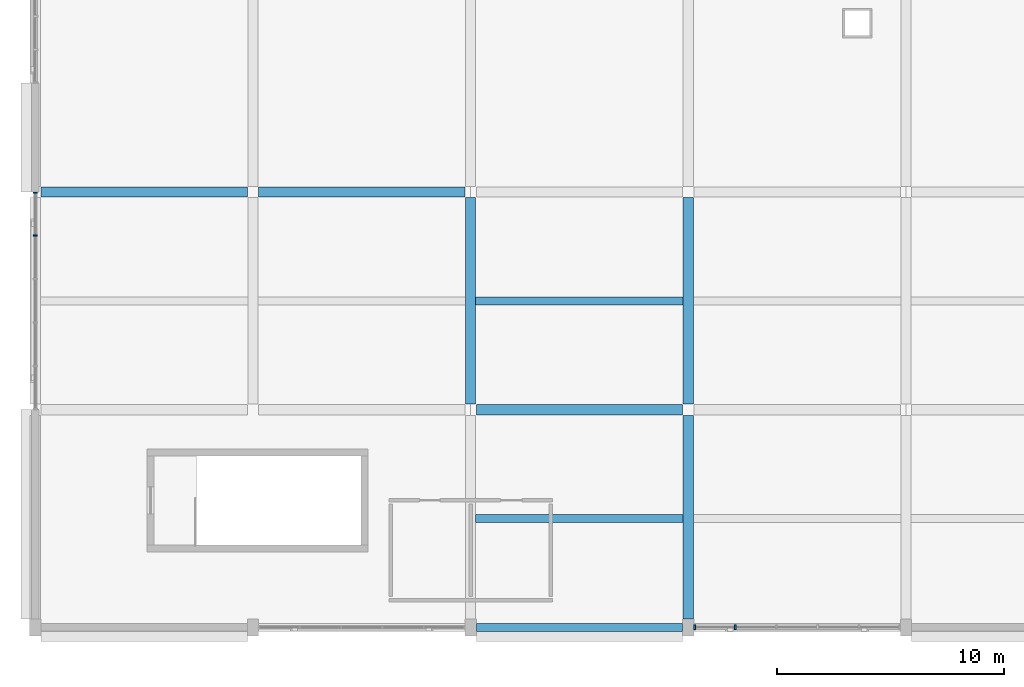
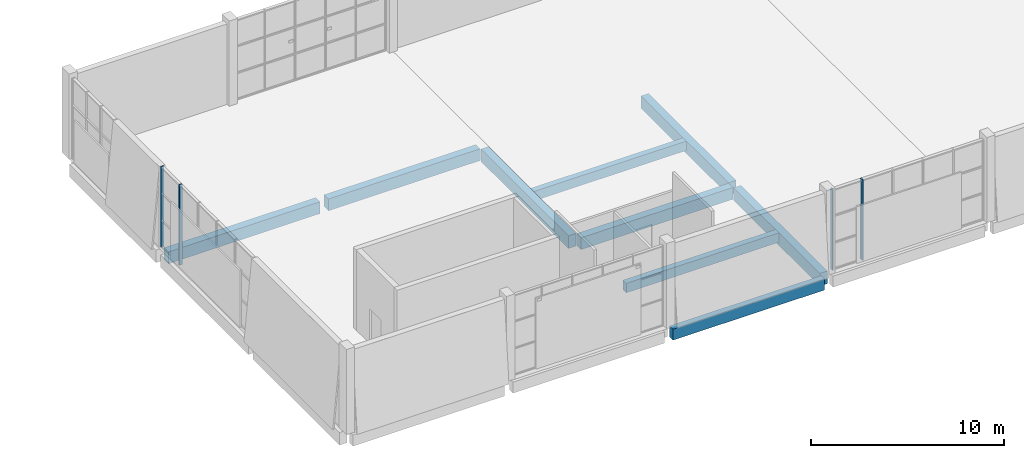
# One storey, part 4 of 72: 9 beams, 4 members, 2 elements without a shape of their own.
"""IFC4 building model written with IfcOpenShell, lengths in metres."""

from ifc_helpers import new_model, si_unit, direction, frame, origin, origin_2d, place, context, subcontext, project, spatial, rectangle, extrude, material, material_profile, profile_set, type_object, element, aggregate, save


model = new_model("IFC4")

# Units and contexts
model_context = context("Model", 3, precision=1e-05, world=origin(), true_north=direction((0.0, 1.0)))
body_context = subcontext(model_context, "Body", "Model", "MODEL_VIEW")
ifc_project = project(units=[si_unit("LENGTHUNIT", "METRE"), si_unit("AREAUNIT", "SQUARE_METRE"), si_unit("VOLUMEUNIT", "CUBIC_METRE"), si_unit("PLANEANGLEUNIT", "RADIAN"), si_unit("MASSUNIT", "GRAM", prefix="KILO")], contexts=[model_context])

# Site, building, storey
site_placement = place(None, origin())
site = spatial("IfcSite", under=ifc_project, at=site_placement, CompositionType="ELEMENT")
building_placement = place(site_placement, origin())
building = spatial("IfcBuilding", under=site, at=building_placement, Name="Shalvenor Court Art Gallery", CompositionType="ELEMENT")
storey_placement = place(building_placement, frame((0.0, 0.0, 11.39990234375)))
storey = spatial("IfcBuildingStorey", under=building, at=storey_placement, Name="L02", CompositionType="ELEMENT", Elevation=11.39990234375)

# Beams
ifc_material_1 = material(Name="Concrete C40/50", Category="concrete")
ifc_material_profile_1 = material_profile(ifc_material_1, rectangle(XDim=0.449951171875, YDim=0.800048828125, at=origin_2d()), Name="RC 450x800")
ifc_profile_set_1 = profile_set([ifc_material_profile_1], Name="Concrete C40/50")
beam_type_1 = type_object("IfcBeamType", Name="B-03", PredefinedType="BEAM", material=ifc_profile_set_1)
beam_1_placement = place(storey_placement, frame((19.199951171875, 9.85009765625, -0.719970703125), z_axis=(0.0, 1.0, 0.0), x_axis=(-1.0, 0.0, 0.0)))
element("IfcBeam", 1, at=beam_1_placement, inside=storey, type_object=beam_type_1, Name="L02 Girder BM-L02-B-03-0703", PredefinedType="BEAM", context=body_context, shape_type="SweptSolid", body=[
    extrude(rectangle(XDim=0.449951171875, YDim=0.800048828125, at=origin_2d()), origin(), (0.0, 0.0, 1.0), 9.099853515625),
])
beam_2_placement = place(storey_placement, frame((28.800048828125, 0.375, -0.719970703125), z_axis=(0.0, 1.0, 0.0), x_axis=(-1.0, 0.0, 0.0)))
element("IfcBeam", 2, at=beam_2_placement, inside=storey, type_object=beam_type_1, Name="L02 Girder BM-L02-B-03-0707", PredefinedType="BEAM", context=body_context, shape_type="SweptSolid", body=[
    extrude(rectangle(XDim=0.449951171875, YDim=0.800048828125, at=origin_2d()), origin(), (0.0, 0.0, 1.0), 8.97509765625),
])
beam_3_placement = place(storey_placement, frame((28.800048828125, 9.85009765625, -0.719970703125), z_axis=(0.0, 1.0, 0.0), x_axis=(-1.0, 0.0, 0.0)))
element("IfcBeam", 3, at=beam_3_placement, inside=storey, type_object=beam_type_1, Name="L02 Girder BM-L02-B-03-0708", PredefinedType="BEAM", context=body_context, shape_type="SweptSolid", body=[
    extrude(rectangle(XDim=0.449951171875, YDim=0.800048828125, at=origin_2d()), origin(), (0.0, 0.0, 1.0), 9.099853515625),
])
ifc_material_2 = material(Name="Concrete C40/50", Category="concrete")
ifc_material_profile_2 = material_profile(ifc_material_2, rectangle(XDim=0.449951171875, YDim=0.75, at=origin_2d()), Name="RC 450x750")
ifc_profile_set_2 = profile_set([ifc_material_profile_2], Name="Concrete C40/50")
beam_type_2 = type_object("IfcBeamType", Name="B-04", PredefinedType="BEAM", material=ifc_profile_set_2)
for number, where, z_axis, x_axis, name in (
    (4, (19.449951171875, 9.60009765625, -0.69482421875), (1.0, 0.0, 0.0), (0.0, 1.0, 0.0), "L02 Girder BM-L02-B-04-0809"),
    (5, (0.25, 19.199951171875, -0.69482421875), (1.0, 0.0, 0.0), (0.0, 1.0, 0.0), "L02 Girder BM-L02-B-04-0815"),
):
    element("IfcBeam", number, at=place(storey_placement, frame(where, z_axis=z_axis, x_axis=x_axis)), inside=storey, type_object=beam_type_2, Name=name, PredefinedType="BEAM", context=body_context, shape_type="SweptSolid", body=[
        extrude(rectangle(XDim=0.449951171875, YDim=0.75, at=origin_2d()), origin(), (0.0, 0.0, 1.0), 9.10009765625),
    ])
beam_4_placement = place(storey_placement, frame((9.85009765625, 19.199951171875, -0.69482421875), z_axis=(1.0, 0.0, 0.0), x_axis=(0.0, 1.0, 0.0)))
element("IfcBeam", 6, at=beam_4_placement, inside=storey, type_object=beam_type_2, Name="L02 Girder BM-L02-B-04-0816", PredefinedType="BEAM", context=body_context, shape_type="SweptSolid", body=[
    extrude(rectangle(XDim=0.449951171875, YDim=0.75, at=origin_2d()), origin(), (0.0, 0.0, 1.0), 9.099853515625),
])

# Curtain wall, members
ifc_material_3 = material(Name="Anodised aluminium and low-iron glass curtain wall", Category="aluminium")
curtain_wall_type_1 = type_object("IfcCurtainWallType", Name="CW-5x3-96-51-121", PredefinedType="USERDEFINED", material=ifc_material_3)
curtain_wall_1_placement = place(storey_placement, origin())
curtain_wall_1 = element("IfcCurtainWall", 7, at=curtain_wall_1_placement, inside=storey, type_object=curtain_wall_type_1, Name="L02 V4 Curtain Wall CW-L02-148", ObjectType="CURTAIN WALL", PredefinedType="USERDEFINED")
ifc_material_4 = material(Name="Anodised aluminium mullion", Category="aluminium")
ifc_material_profile_3 = material_profile(ifc_material_4, rectangle(XDim=0.06494140625, YDim=0.179931640625, at=origin_2d()), Name="CWM-01")
ifc_profile_set_3 = profile_set([ifc_material_profile_3], Name="Anodised aluminium mullion")
member_type_1 = type_object("IfcMemberType", Name="CWM-01", PredefinedType="MULLION", material=ifc_profile_set_3)
member_1_placement = place(storey_placement, frame((0.0, 17.280029296875, 0.0), z_axis=(0.0, 0.0, 1.0), x_axis=(0.0, 1.0, 0.0)))
member_1 = element("IfcMember", 8, at=member_1_placement, type_object=member_type_1, Name="CW-5x3-96-51-121 mullion 5", PredefinedType="MULLION", context=body_context, shape_type="SweptSolid", body=[
    extrude(rectangle(XDim=0.06494140625, YDim=0.179931640625, at=origin_2d()), origin(), (0.0, 0.0, 1.0), 5.10009765625),
])
member_2_placement = place(storey_placement, frame((0.0, 19.16748046875, 0.0), z_axis=(0.0, 0.0, 1.0), x_axis=(0.0, 1.0, 0.0)))
member_2 = element("IfcMember", 9, at=member_2_placement, type_object=member_type_1, Name="CW-5x3-96-51-121 mullion 6", PredefinedType="MULLION", context=body_context, shape_type="SweptSolid", body=[
    extrude(rectangle(XDim=0.06494140625, YDim=0.179931640625, at=origin_2d()), origin(), (0.0, 0.0, 1.0), 5.10009765625),
])
aggregate(curtain_wall_1, [member_1, member_2])

ifc_material_5 = material(Name="Anodised aluminium and low-iron glass curtain wall", Category="aluminium")
curtain_wall_type_2 = type_object("IfcCurtainWallType", Name="CW-5x3-91-51-441", PredefinedType="USERDEFINED", material=ifc_material_5)
curtain_wall_2_placement = place(storey_placement, origin())
curtain_wall_2 = element("IfcCurtainWall", 10, at=curtain_wall_2_placement, inside=storey, type_object=curtain_wall_type_2, Name="L02 V4 Curtain Wall CW-L02-146", ObjectType="CURTAIN WALL", PredefinedType="USERDEFINED")
ifc_material_6 = material(Name="Anodised aluminium mullion", Category="aluminium")
ifc_material_profile_4 = material_profile(ifc_material_6, rectangle(XDim=0.074951171875, YDim=0.219970703125, at=origin_2d()), Name="CWM-04")
ifc_profile_set_4 = profile_set([ifc_material_profile_4], Name="Anodised aluminium mullion")
member_type_2 = type_object("IfcMemberType", Name="CWM-04", PredefinedType="MULLION", material=ifc_profile_set_4)
member_3_placement = place(storey_placement, frame((30.8701171875, 0.0, 0.0), z_axis=(0.0, 0.0, 1.0), x_axis=(-1.0, 0.0, 0.0)))
member_3 = element("IfcMember", 11, at=member_3_placement, type_object=member_type_2, Name="CW-5x3-91-51-441 mullion 5", PredefinedType="MULLION", context=body_context, shape_type="SweptSolid", body=[
    extrude(rectangle(XDim=0.074951171875, YDim=0.219970703125, at=origin_2d()), origin(), (0.0, 0.0, 1.0), 5.10009765625),
])
member_4_placement = place(storey_placement, frame((29.08740234375, 0.0, 0.0), z_axis=(0.0, 0.0, 1.0), x_axis=(-1.0, 0.0, 0.0)))
member_4 = element("IfcMember", 12, at=member_4_placement, type_object=member_type_2, Name="CW-5x3-91-51-441 mullion 6", PredefinedType="MULLION", context=body_context, shape_type="SweptSolid", body=[
    extrude(rectangle(XDim=0.074951171875, YDim=0.219970703125, at=origin_2d()), origin(), (0.0, 0.0, 1.0), 5.10009765625),
])
aggregate(curtain_wall_2, [member_3, member_4])

# Beams
ifc_material_7 = material(Name="Concrete C40/50", Category="concrete")
ifc_material_profile_5 = material_profile(ifc_material_7, rectangle(XDim=0.35009765625, YDim=0.60009765625, at=origin_2d()), Name="RC 350x600")
ifc_profile_set_5 = profile_set([ifc_material_profile_5], Name="Concrete C40/50")
beam_type_3 = type_object("IfcBeamType", Name="J-01", PredefinedType="JOIST", material=ifc_profile_set_5)
for number, where, z_axis, x_axis, name in (
    (13, (19.425048828125, 4.800048828125, -0.619873046875), (1.0, 0.0, 0.0), (0.0, 1.0, 0.0), "L02 Secondary Beam JST-L02-J-01-0919"),
    (14, (19.425048828125, 14.39990234375, -0.619873046875), (1.0, 0.0, 0.0), (0.0, 1.0, 0.0), "L02 Secondary Beam JST-L02-J-01-0920"),
):
    element("IfcBeam", number, at=place(storey_placement, frame(where, z_axis=z_axis, x_axis=x_axis)), inside=storey, type_object=beam_type_3, Name=name, PredefinedType="JOIST", context=body_context, shape_type="SweptSolid", body=[
        extrude(rectangle(XDim=0.35009765625, YDim=0.60009765625, at=origin_2d()), origin(), (0.0, 0.0, 1.0), 9.14990234375),
    ])
ifc_material_8 = material(Name="Concrete C40/50", Category="concrete")
ifc_material_profile_6 = material_profile(ifc_material_8, rectangle(XDim=0.35009765625, YDim=0.699951171875, at=origin_2d()), Name="RC 350x700")
ifc_profile_set_6 = profile_set([ifc_material_profile_6], Name="Concrete C40/50")
beam_type_4 = type_object("IfcBeamType", Name="SP-01", PredefinedType="SPANDREL", material=ifc_profile_set_6)
beam_5_placement = place(storey_placement, frame((19.449951171875, 0.0, -0.669921875), z_axis=(1.0, 0.0, 0.0), x_axis=(0.0, 1.0, 0.0)))
element("IfcBeam", 15, at=beam_5_placement, inside=storey, type_object=beam_type_4, Name="L02 Spandrel Girder BM-L02-SP-01-0799", PredefinedType="SPANDREL", context=body_context, shape_type="SweptSolid", body=[
    extrude(rectangle(XDim=0.35009765625, YDim=0.699951171875, at=origin_2d()), origin(), (0.0, 0.0, 1.0), 9.10009765625),
])

save(model, "model.ifc")
